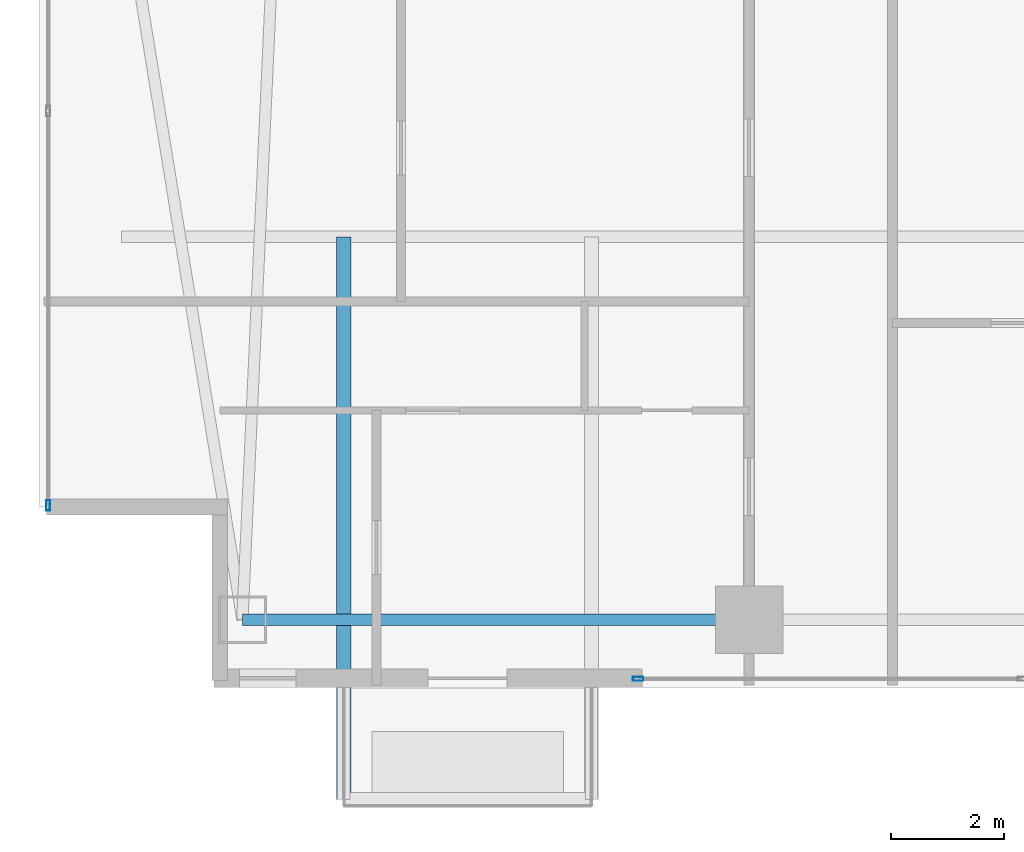
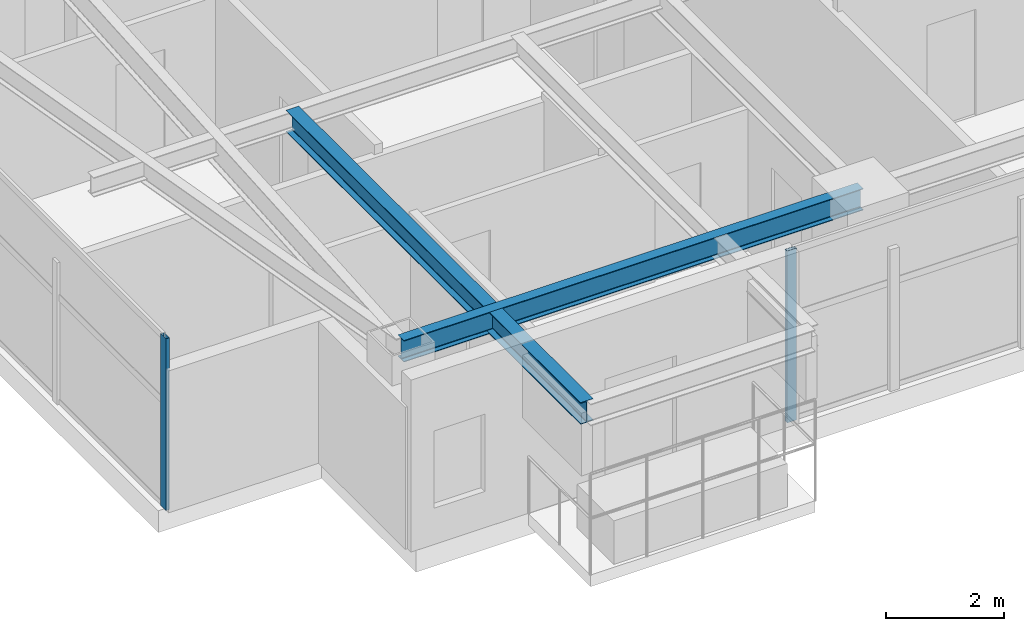
# One storey, part 2 of 30: 2 beams, 2 members, 2 elements without a shape of their own.
"""IFC4 building model written with IfcOpenShell, lengths in metres."""

from ifc_helpers import new_model, si_unit, direction, frame, origin, origin_2d, place, context, subcontext, project, spatial, hollow_rectangle, i_section, extrude, material, layer, layer_set, material_profile, profile_set, type_object, element, aggregate, save


model = new_model("IFC4")

# Units and contexts
model_context = context("Model", 3, precision=1e-05, world=origin(), true_north=direction((0.0, 1.0)))
body_context = subcontext(model_context, "Body", "Model", "MODEL_VIEW")
ifc_project = project(units=[si_unit("LENGTHUNIT", "METRE"), si_unit("AREAUNIT", "SQUARE_METRE"), si_unit("VOLUMEUNIT", "CUBIC_METRE"), si_unit("PLANEANGLEUNIT", "RADIAN"), si_unit("MASSUNIT", "GRAM", prefix="KILO")], contexts=[model_context])

# Site, building, storey
site_placement = place(None, origin())
site = spatial("IfcSite", under=ifc_project, at=site_placement, CompositionType="ELEMENT")
building_placement = place(site_placement, origin())
building = spatial("IfcBuilding", under=site, at=building_placement, Name="Calvorn Quay Hotel", CompositionType="ELEMENT")
storey_placement = place(building_placement, frame((0.0, 0.0, 191.300048828125)))
storey = spatial("IfcBuildingStorey", under=building, at=storey_placement, Name="L47", CompositionType="ELEMENT", Elevation=191.300048828125)

# Beams
ifc_material_1 = material(Name="Steel Q355B", Category="steel")
ifc_material_profile_1 = material_profile(ifc_material_1, i_section(OverallWidth=0.25, OverallDepth=0.449951171875, WebThickness=0.011962890625, FlangeThickness=0.01611328125, FilletRadius=0.01611328125, at=origin_2d()), Name="HN450x250x12x16")
ifc_profile_set_1 = profile_set([ifc_material_profile_1], Name="Steel Q355B")
beam_type_1 = type_object("IfcBeamType", Name="BM-CANT-BALC", PredefinedType="BEAM", material=ifc_profile_set_1)
beam_1_placement = place(storey_placement, frame((5.39990234375, 10.39990234375, 3.31494140625), z_axis=(0.0, -1.0, 0.0), x_axis=(1.0, 0.0, 0.0)))
element("IfcBeam", 1, at=beam_1_placement, inside=storey, type_object=beam_type_1, Name="Cantilever Balcony Beam BCB-L48-2A", PredefinedType="BEAM", context=body_context, shape_type="SweptSolid", body=[
    extrude(i_section(OverallWidth=0.25, OverallDepth=0.449951171875, WebThickness=0.011962890625, FlangeThickness=0.01611328125, FilletRadius=0.01611328125, at=origin_2d()), origin(), (0.0, 0.0, 1.0), 9.989990234375),
])
ifc_material_2 = material(Name="Steel Q355B", Category="steel")
ifc_material_profile_2 = material_profile(ifc_material_2, i_section(OverallWidth=0.199951171875, OverallDepth=0.449951171875, WebThickness=0.009033203125, FlangeThickness=0.013916015625, FilletRadius=0.01611328125, at=origin_2d()), Name="HN450x200x9x14")
ifc_profile_set_2 = profile_set([ifc_material_profile_2], Name="Steel Q355B")
beam_type_2 = type_object("IfcBeamType", Name="BM-SPANDREL-Z3", PredefinedType="SPANDREL", material=ifc_profile_set_2)
beam_2_placement = place(storey_placement, frame((3.60009765625, 3.60009765625, 3.31494140625), z_axis=(1.0, 0.0, 0.0), x_axis=(0.0, 1.0, 0.0)))
element("IfcBeam", 2, at=beam_2_placement, inside=storey, type_object=beam_type_2, Name="Beam BSP-L47-S1", PredefinedType="SPANDREL", context=body_context, shape_type="SweptSolid", body=[
    extrude(i_section(OverallWidth=0.199951171875, OverallDepth=0.449951171875, WebThickness=0.009033203125, FlangeThickness=0.013916015625, FilletRadius=0.01611328125, at=origin_2d()), origin(), (0.0, 0.0, 1.0), 9.0),
])

# Curtain wall, member
ifc_material_3 = material(Name="Champagne Bronze Anodised Aluminium and Low-E Glass", Category="aluminium")
ifc_layer = layer(ifc_material_3, 0.219970703125)
ifc_layer_set = layer_set([ifc_layer], Name="CW-SYS-Z3")
curtain_wall_type = type_object("IfcCurtainWallType", Name="CW-SYS-Z3", PredefinedType="NOTDEFINED", material=ifc_layer_set)
curtain_wall_1_placement = place(storey_placement, origin())
curtain_wall_1 = element("IfcCurtainWall", 3, at=curtain_wall_1_placement, inside=storey, type_object=curtain_wall_type, Name="Tower West Curtain Wall (L47)", PredefinedType="NOTDEFINED")
ifc_material_4 = material(Name="Champagne Bronze Anodised Aluminium 6063-T6", Category="aluminium")
ifc_material_profile_3 = material_profile(ifc_material_4, hollow_rectangle(XDim=0.068115234375, YDim=0.18505859375, WallThickness=0.00390625, at=origin_2d()), Name="ALU-M185x68x4")
ifc_profile_set_3 = profile_set([ifc_material_profile_3], Name="Champagne Bronze Anodised Aluminium 6063-T6")
member_type = type_object("IfcMemberType", Name="CW-SYS-Z3-MUL", PredefinedType="MULLION", material=ifc_profile_set_3)
member_1_placement = place(storey_placement, frame((0.14990234375, 5.6298828125, 0.0), z_axis=(0.0, 0.0, 1.0), x_axis=(-1.0, 0.0, 0.0)))
member_1 = element("IfcMember", 4, at=member_1_placement, type_object=member_type, Name="CW-L47-W mullion 1", PredefinedType="MULLION", context=body_context, shape_type="SweptSolid", body=[
    extrude(hollow_rectangle(XDim=0.068115234375, YDim=0.18505859375, WallThickness=0.00390625, at=origin_2d()), origin(), (0.0, 0.0, 1.0), 3.56005859375),
])
aggregate(curtain_wall_1, [member_1])

curtain_wall_2_placement = place(storey_placement, origin())
curtain_wall_2 = element("IfcCurtainWall", 5, at=curtain_wall_2_placement, inside=storey, type_object=curtain_wall_type, Name="Tower South Waterfront Curtain Wall (L47)", PredefinedType="NOTDEFINED")
member_2_placement = place(storey_placement, frame((10.6298828125, 2.550048828125, 0.0), z_axis=(0.0, 0.0, 1.0), x_axis=(0.0, 1.0, 0.0)))
member_2 = element("IfcMember", 6, at=member_2_placement, type_object=member_type, Name="CW-L47-S mullion 1", PredefinedType="MULLION", context=body_context, shape_type="SweptSolid", body=[
    extrude(hollow_rectangle(XDim=0.068115234375, YDim=0.18505859375, WallThickness=0.00390625, at=origin_2d()), origin(), (0.0, 0.0, 1.0), 3.56005859375),
])
aggregate(curtain_wall_2, [member_2])

save(model, "model.ifc")
